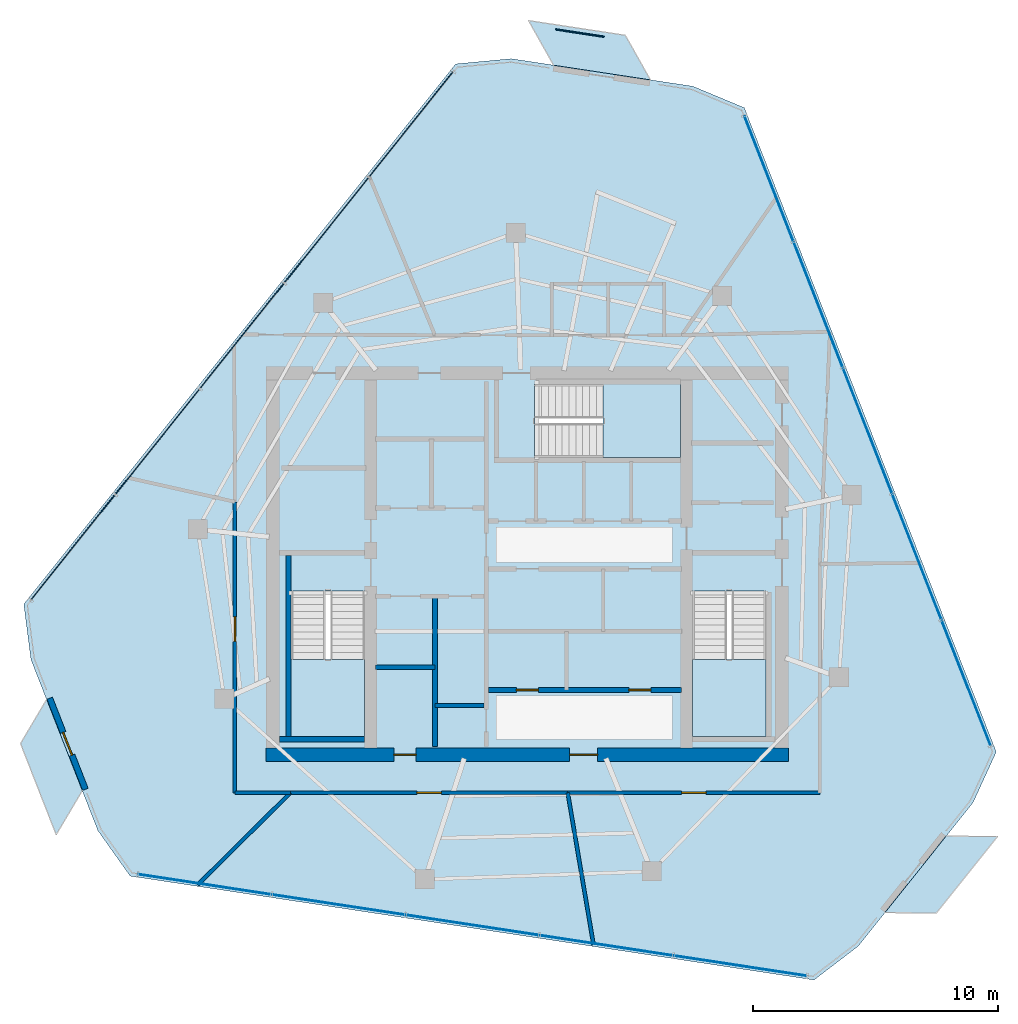
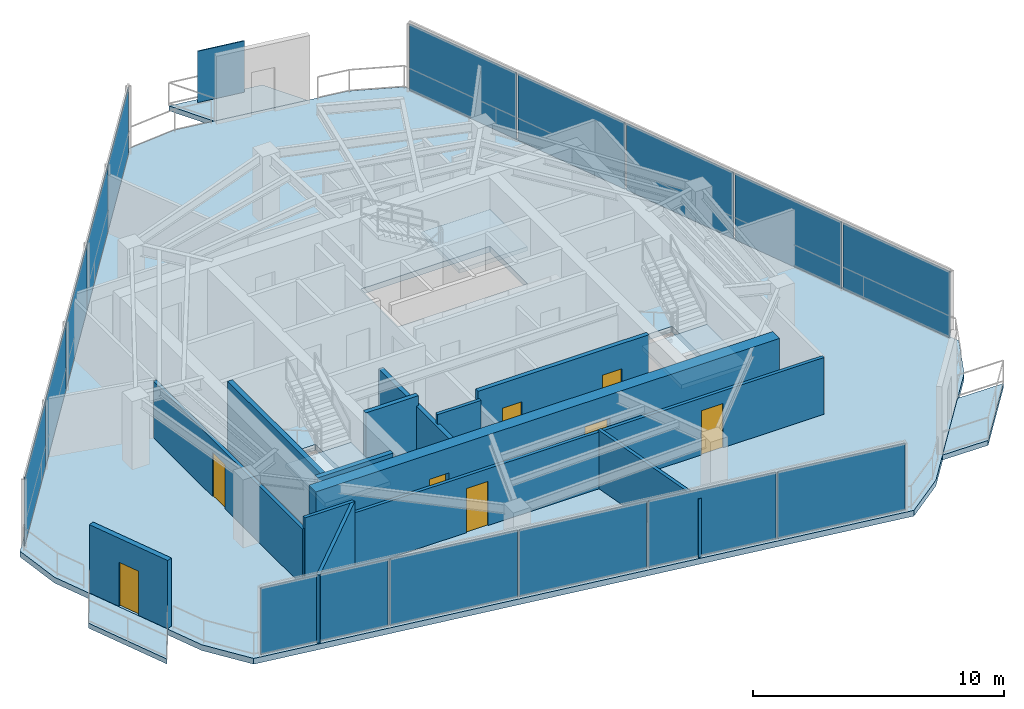
# One storey, part 14 of 19: 16 plates, 14 walls, 8 doors, 7 slabs, 8 openings, 6 elements without a shape of their own.
"""IFC4 building model written with IfcOpenShell, lengths in metres."""

import ifcopenshell
import ifcopenshell.guid

model = None  # the IFC model being written
_history = None  # IfcOwnerHistory: only IFC2X3 demands one
_inside = {}  # id of a spatial element -> (the spatial element, [elements in it])
_under = {}  # id of a project, library or spatial element -> (it, [spatial elements below it])
_declared = {}  # id of a project -> (the project, [libraries it declares])
_typed = {}  # id of a type object -> (the type object, [elements of that type])
_made_of = {}  # id of a material, layer set ... -> (it, [elements and type objects made of it])


def new_model(schema):
    """Start an empty IFC model of exactly this schema.

    Asked for "IFC4X3", IfcOpenShell would pick the latest addendum, in which some entities
    have other attributes; the version numbers below select the first issue.
    IFC2X3 requires an IfcOwnerHistory on every rooted entity: one is made here for all.
    """
    global model, _history
    if schema == "IFC4X3":
        model = ifcopenshell.file(schema_version=(4, 3, 0, 0))
    else:
        model = ifcopenshell.file(schema=schema)
    _inside.clear()
    _under.clear()
    _declared.clear()
    _typed.clear()
    _made_of.clear()
    _history = None
    if model.schema == "IFC2X3":
        org = make("IfcOrganization", Name="unknown")
        user = make(
            "IfcPersonAndOrganization",
            ThePerson=make("IfcPerson", FamilyName="unknown"),
            TheOrganization=org,
        )
        app = make(
            "IfcApplication",
            ApplicationDeveloper=org,
            Version="unknown",
            ApplicationFullName="unknown",
            ApplicationIdentifier="unknown",
        )
        _history = make(
            "IfcOwnerHistory",
            OwningUser=user,
            OwningApplication=app,
            ChangeAction="ADDED",
            CreationDate=0,
        )
    return model


def make(cls, **values):
    """One entity of the class cls with the attributes given. An attribute that is None is left unset."""
    return model.create_entity(
        cls, **{name: value for name, value in values.items() if value is not None}
    )


def rooted(cls, **values):
    """An entity with a GlobalId (a new one), such as an element, a storey or a relation."""
    return make(cls, GlobalId=ifcopenshell.guid.new(), OwnerHistory=_history, **values)


def si_unit(unit_type, name, prefix=None):
    """IfcSIUnit, for example si_unit("LENGTHUNIT", "METRE", prefix="MILLI")."""
    return make("IfcSIUnit", UnitType=unit_type, Prefix=prefix, Name=name)


def assignment(units):
    """IfcUnitAssignment: the units of a project."""
    return None if units is None else make("IfcUnitAssignment", Units=units)


def point(xyz):
    """IfcCartesianPoint."""
    return None if xyz is None else make("IfcCartesianPoint", Coordinates=xyz)


def direction(xyz):
    """IfcDirection."""
    return None if xyz is None else make("IfcDirection", DirectionRatios=xyz)


def frame(location, z_axis=None, x_axis=None):
    """IfcAxis2Placement3D, a coordinate frame: its origin and axes. An axis left out is left unset."""
    return make(
        "IfcAxis2Placement3D",
        Location=point(location),
        Axis=direction(z_axis),
        RefDirection=direction(x_axis),
    )


def frame_2d(location, x_axis=None):
    """IfcAxis2Placement2D, a coordinate frame in the plane: its origin and x axis."""
    return make(
        "IfcAxis2Placement2D", Location=point(location), RefDirection=direction(x_axis)
    )


def origin():
    """The frame at (0, 0, 0) with its axes left unset."""
    return frame((0.0, 0.0, 0.0))


def origin_2d():
    """The frame at (0, 0) in the plane with its x axis left unset."""
    return frame_2d((0.0, 0.0))


def place(relative_to, where):
    """IfcLocalPlacement: puts the frame where relative to a parent placement (None: the world)."""
    return make(
        "IfcLocalPlacement", PlacementRelTo=relative_to, RelativePlacement=where
    )


def context(
    kind, dimensions, precision=None, world=None, true_north=None, identifier=None
):
    """IfcGeometricRepresentationContext, for example the 3D "Model" context."""
    return make(
        "IfcGeometricRepresentationContext",
        ContextIdentifier=identifier,
        ContextType=kind,
        CoordinateSpaceDimension=dimensions,
        Precision=precision,
        WorldCoordinateSystem=world,
        TrueNorth=true_north,
    )


def subcontext(parent, identifier, kind, view, scale=None):
    """IfcGeometricRepresentationSubContext, for example "Body" below "Model"."""
    return make(
        "IfcGeometricRepresentationSubContext",
        ContextIdentifier=identifier,
        ContextType=kind,
        ParentContext=parent,
        TargetScale=scale,
        TargetView=view,
    )


def project(units=None, contexts=None):
    """IfcProject with its units and contexts."""
    return rooted(
        "IfcProject",
        Name="project",
        RepresentationContexts=contexts,
        UnitsInContext=assignment(units),
    )


def spatial(cls, under=None, at=None, **own):
    """A site, building, storey or space (cls), placed at a placement, below another one or the project."""
    s = rooted(cls, ObjectPlacement=at, **own)
    if under is not None:
        _under.setdefault(under.id(), (under, []))[1].append(s)
    return s


def polyline(points):
    """IfcPolyline through the points."""
    return make("IfcPolyline", Points=[point(p) for p in points])


def profile(cls, at=None, kind="AREA", **sizes):
    """A parametric profile (cls). Its sizes go by their IFC names, for example OverallWidth=200.0."""
    return make(cls, ProfileType=kind, Position=at, **sizes)


def rectangle(**sizes):
    """IfcRectangleProfileDef."""
    return profile("IfcRectangleProfileDef", **sizes)


def outline(outer, holes=None, kind="AREA"):
    """IfcArbitraryClosedProfileDef: a profile drawn as a closed curve; with holes, ...WithVoids."""
    if holes is None:
        return make("IfcArbitraryClosedProfileDef", ProfileType=kind, OuterCurve=outer)
    return make(
        "IfcArbitraryProfileDefWithVoids",
        ProfileType=kind,
        OuterCurve=outer,
        InnerCurves=holes,
    )


def extrude(swept, where, along, depth):
    """IfcExtrudedAreaSolid: the profile swept, set in the frame where, extruded along a direction by depth."""
    return make(
        "IfcExtrudedAreaSolid",
        SweptArea=swept,
        Position=where,
        ExtrudedDirection=direction(along),
        Depth=depth,
    )


def shape(context_of_items, identifier, shape_type, items):
    """IfcShapeRepresentation: the items that make up one representation, for example the "Body"."""
    return make(
        "IfcShapeRepresentation",
        ContextOfItems=context_of_items,
        RepresentationIdentifier=identifier,
        RepresentationType=shape_type,
        Items=items,
    )


def material(Name=None, Category=None):
    """IfcMaterial."""
    return make("IfcMaterial", Name=Name, Category=Category)


def layer(
    of_material, thickness, ventilated=None, Name=None, Category=None, Priority=None
):
    """IfcMaterialLayer: one layer of a wall or slab, of a material (None: an air gap)."""
    return make(
        "IfcMaterialLayer",
        Material=of_material,
        LayerThickness=thickness,
        IsVentilated=ventilated,
        Name=Name,
        Category=Category,
        Priority=Priority,
    )


def layer_set(layers, Name=None):
    """IfcMaterialLayerSet."""
    return make("IfcMaterialLayerSet", MaterialLayers=layers, LayerSetName=Name)


def made_of(thing, what):
    """Note that an element or type object is made of a material, layer set ...; save() writes the relation."""
    if what is not None:
        _made_of.setdefault(what.id(), (what, []))[1].append(thing)
    return thing


def type_object(cls, material=None, **own):
    """A type object (cls), such as IfcWallType, which elements share."""
    return made_of(rooted(cls, **own), material)


def element(
    cls,
    number,
    at=None,
    inside=None,
    cuts=None,
    type_object=None,
    material=None,
    context=None,
    identifier="Body",
    shape_type=None,
    held_by="IfcProductDefinitionShape",
    body=None,
    shapes=None,
    **own,
):
    """One element of the class cls, such as IfcWall. Its Tag is "e" and its number.

    at: its placement. inside: the storey or other place that contains it. cuts: it is an
    opening in that element (IfcRelVoidsElement). A single representation is given by context,
    identifier, shape_type and body (its items); several are given by shapes. held_by: the class
    of the entity that holds the representations. save() writes the other relations.
    """
    e = rooted(cls, Tag="e%d" % number, ObjectPlacement=at, **own)
    if body is not None:
        shapes = [shape(context, identifier, shape_type, body)]
    if shapes is not None:
        e.Representation = make(held_by, Representations=shapes)
    if inside is not None:
        _inside.setdefault(inside.id(), (inside, []))[1].append(e)
    if cuts is not None:
        rooted(
            "IfcRelVoidsElement", RelatingBuildingElement=cuts, RelatedOpeningElement=e
        )
    if type_object is not None:
        _typed.setdefault(type_object.id(), (type_object, []))[1].append(e)
    return made_of(e, material)


def fill(opening, filler):
    """IfcRelFillsElement: the door or window that sits in an opening."""
    return rooted(
        "IfcRelFillsElement",
        RelatingOpeningElement=opening,
        RelatedBuildingElement=filler,
    )


def aggregate(whole, parts):
    """IfcRelAggregates: a whole, such as a stair, and the parts it consists of."""
    return rooted("IfcRelAggregates", RelatingObject=whole, RelatedObjects=parts)


def save(model, path):
    """Write the relations noted so far, then the file.

    IfcRelAggregates (storeys below a building ...), IfcRelContainedInSpatialStructure (elements
    in a storey), IfcRelDefinesByType, IfcRelAssociatesMaterial and IfcRelDeclares: one each for
    every whole, place, type object, material and project.
    """
    for whole, parts in _under.values():
        aggregate(whole, parts)
    for where, things in _inside.values():
        rooted(
            "IfcRelContainedInSpatialStructure",
            RelatedElements=things,
            RelatingStructure=where,
        )
    for kind, things in _typed.values():
        rooted("IfcRelDefinesByType", RelatedObjects=things, RelatingType=kind)
    for what, things in _made_of.values():
        rooted("IfcRelAssociatesMaterial", RelatedObjects=things, RelatingMaterial=what)
    for by, libraries in _declared.values():
        rooted("IfcRelDeclares", RelatingContext=by, RelatedDefinitions=libraries)
    model.write(path)


model = new_model("IFC4")

# Units and contexts
model_context = context("Model", 3, precision=1e-05, world=origin(), true_north=direction((0.0, 1.0)))
body_context = subcontext(model_context, "Body", "Model", "MODEL_VIEW")
ifc_project = project(units=[si_unit("LENGTHUNIT", "METRE"), si_unit("AREAUNIT", "SQUARE_METRE"), si_unit("VOLUMEUNIT", "CUBIC_METRE"), si_unit("PLANEANGLEUNIT", "RADIAN"), si_unit("MASSUNIT", "GRAM", prefix="KILO")], contexts=[model_context])

# Site, building, storey
site_placement = place(None, origin())
site = spatial("IfcSite", under=ifc_project, at=site_placement, CompositionType="ELEMENT")
building_placement = place(site_placement, origin())
building = spatial("IfcBuilding", under=site, at=building_placement, Name="Qarnah Convention Tower", CompositionType="ELEMENT")
storey_placement = place(building_placement, frame((0.0, 0.0, 260.699951171875)))
storey = spatial("IfcBuildingStorey", under=building, at=storey_placement, Name="L70", CompositionType="ELEMENT", Elevation=260.699951171875)

# Curtain wall, plates
ifc_material_1 = material(Name="Tempered Low-E dark glass", Category="glass")
ifc_layer_1 = layer(ifc_material_1, 0.176025390625)
ifc_layer_set_1 = layer_set([ifc_layer_1], Name="Tempered Low-E dark glass")
curtain_wall_type = type_object("IfcCurtainWallType", Name="CWS-05", PredefinedType="NOTDEFINED", material=ifc_layer_set_1)
curtain_wall_1_placement = place(storey_placement, origin())
curtain_wall_1 = element("IfcCurtainWall", 1, at=curtain_wall_1_placement, inside=storey, type_object=curtain_wall_type, Name="L70 unitised curtain wall CW-L70-F1", PredefinedType="NOTDEFINED")
ifc_layer_2 = layer(ifc_material_1, 0.035888671875)
ifc_layer_set_2 = layer_set([ifc_layer_2], Name="Tempered Low-E dark glass")
plate_type_1 = type_object("IfcPlateType", Name="PNL-T5", PredefinedType="CURTAIN_PANEL", material=ifc_layer_set_2)
plate_1_placement = place(storey_placement, frame((45.897216796875, 9.980712890625, 0.0400390625), z_axis=(0.0, 0.0, 1.0), x_axis=(-0.988650022064, 0.150236925796, 0.0)))
plate_1 = element("IfcPlate", 2, at=plate_1_placement, type_object=plate_type_1, Name="CW-L70-F1 curtain panel 1.1", PredefinedType="CURTAIN_PANEL", context=body_context, shape_type="SweptSolid", body=[
    extrude(rectangle(XDim=5.45263671875, YDim=0.035888671875, at=origin_2d()), origin(), (0.0, 0.0, 1.0), 3.239990234375),
])
plate_2_placement = place(storey_placement, frame((40.42724609375, 10.811767578125, 0.0400390625), z_axis=(0.0, 0.0, 1.0), x_axis=(-0.988650022064, 0.150236925796, 0.0)))
plate_2 = element("IfcPlate", 3, at=plate_2_placement, type_object=plate_type_1, Name="CW-L70-F1 curtain panel 2.1", PredefinedType="CURTAIN_PANEL", context=body_context, shape_type="SweptSolid", body=[
    extrude(rectangle(XDim=5.45263671875, YDim=0.035888671875, at=origin_2d()), origin(), (0.0, 0.0, 1.0), 3.239990234375),
])
plate_3_placement = place(storey_placement, frame((34.95751953125, 11.64306640625, 0.0400390625), z_axis=(0.0, 0.0, 1.0), x_axis=(-0.988650022064, 0.150236925796, 0.0)))
plate_3 = element("IfcPlate", 4, at=plate_3_placement, type_object=plate_type_1, Name="CW-L70-F1 curtain panel 3.1", PredefinedType="CURTAIN_PANEL", context=body_context, shape_type="SweptSolid", body=[
    extrude(rectangle(XDim=5.45263671875, YDim=0.035888671875, at=origin_2d()), origin(), (0.0, 0.0, 1.0), 3.239990234375),
])
plate_4_placement = place(storey_placement, frame((29.48779296875, 12.47412109375, 0.0400390625), z_axis=(0.0, 0.0, 1.0), x_axis=(-0.988650022064, 0.150236925796, 0.0)))
plate_4 = element("IfcPlate", 5, at=plate_4_placement, type_object=plate_type_1, Name="CW-L70-F1 curtain panel 4.1", PredefinedType="CURTAIN_PANEL", context=body_context, shape_type="SweptSolid", body=[
    extrude(rectangle(XDim=5.45263671875, YDim=0.035888671875, at=origin_2d()), origin(), (0.0, 0.0, 1.0), 3.239990234375),
])
plate_5_placement = place(storey_placement, frame((24.017822265625, 13.305419921875, 0.0400390625), z_axis=(0.0, 0.0, 1.0), x_axis=(-0.988650022064, 0.150236925796, 0.0)))
plate_5 = element("IfcPlate", 6, at=plate_5_placement, type_object=plate_type_1, Name="CW-L70-F1 curtain panel 5.1", PredefinedType="CURTAIN_PANEL", context=body_context, shape_type="SweptSolid", body=[
    extrude(rectangle(XDim=5.45263671875, YDim=0.035888671875, at=origin_2d()), origin(), (0.0, 0.0, 1.0), 3.239990234375),
])
aggregate(curtain_wall_1, [plate_1, plate_2, plate_3, plate_4, plate_5])

curtain_wall_2_placement = place(storey_placement, origin())
curtain_wall_2 = element("IfcCurtainWall", 7, at=curtain_wall_2_placement, inside=storey, type_object=curtain_wall_type, Name="L70 unitised curtain wall CW-L70-F2", PredefinedType="NOTDEFINED")
plate_6_placement = place(storey_placement, frame((47.071533203125, 42.141845703125, 0.0400390625), z_axis=(0.0, 0.0, 1.0), x_axis=(0.364218048519, -0.931313702859, 0.0)))
plate_6 = element("IfcPlate", 8, at=plate_6_placement, type_object=plate_type_1, Name="CW-L70-F2 curtain panel 1.1", PredefinedType="CURTAIN_PANEL", context=body_context, shape_type="SweptSolid", body=[
    extrude(rectangle(XDim=5.452392578125, YDim=0.035888671875, at=origin_2d()), origin(), (0.0, 0.0, 1.0), 3.239990234375),
])
plate_7_placement = place(storey_placement, frame((49.08642578125, 36.989501953125, 0.0400390625), z_axis=(0.0, 0.0, 1.0), x_axis=(0.364218048519, -0.931313702859, 0.0)))
plate_7 = element("IfcPlate", 9, at=plate_7_placement, type_object=plate_type_1, Name="CW-L70-F2 curtain panel 2.1", PredefinedType="CURTAIN_PANEL", context=body_context, shape_type="SweptSolid", body=[
    extrude(rectangle(XDim=5.452392578125, YDim=0.035888671875, at=origin_2d()), origin(), (0.0, 0.0, 1.0), 3.239990234375),
])
plate_8_placement = place(storey_placement, frame((51.1015625, 31.8369140625, 0.0400390625), z_axis=(0.0, 0.0, 1.0), x_axis=(0.364218048519, -0.931313702859, 0.0)))
plate_8 = element("IfcPlate", 10, at=plate_8_placement, type_object=plate_type_1, Name="CW-L70-F2 curtain panel 3.1", PredefinedType="CURTAIN_PANEL", context=body_context, shape_type="SweptSolid", body=[
    extrude(rectangle(XDim=5.452392578125, YDim=0.035888671875, at=origin_2d()), origin(), (0.0, 0.0, 1.0), 3.239990234375),
])
plate_9_placement = place(storey_placement, frame((53.116455078125, 26.6845703125, 0.0400390625), z_axis=(0.0, 0.0, 1.0), x_axis=(0.364218048519, -0.931313702859, 0.0)))
plate_9 = element("IfcPlate", 11, at=plate_9_placement, type_object=plate_type_1, Name="CW-L70-F2 curtain panel 4.1", PredefinedType="CURTAIN_PANEL", context=body_context, shape_type="SweptSolid", body=[
    extrude(rectangle(XDim=5.452392578125, YDim=0.035888671875, at=origin_2d()), origin(), (0.0, 0.0, 1.0), 3.239990234375),
])
plate_10_placement = place(storey_placement, frame((55.131591796875, 21.5322265625, 0.0400390625), z_axis=(0.0, 0.0, 1.0), x_axis=(0.364218048519, -0.931313702859, 0.0)))
plate_10 = element("IfcPlate", 12, at=plate_10_placement, type_object=plate_type_1, Name="CW-L70-F2 curtain panel 5.1", PredefinedType="CURTAIN_PANEL", context=body_context, shape_type="SweptSolid", body=[
    extrude(rectangle(XDim=5.452392578125, YDim=0.035888671875, at=origin_2d()), origin(), (0.0, 0.0, 1.0), 3.239990234375),
])
aggregate(curtain_wall_2, [plate_6, plate_7, plate_8, plate_9, plate_10])

curtain_wall_3_placement = place(storey_placement, origin())
curtain_wall_3 = element("IfcCurtainWall", 13, at=curtain_wall_3_placement, inside=storey, type_object=curtain_wall_type, Name="L70 unitised curtain wall CW-L70-F3", PredefinedType="NOTDEFINED")
plate_11_placement = place(storey_placement, frame((18.63134765625, 27.07763671875, 0.0400390625), z_axis=(0.0, 0.0, 1.0), x_axis=(0.624417264657, 0.781090954754, 0.0)))
plate_11 = element("IfcPlate", 14, at=plate_11_placement, type_object=plate_type_1, Name="CW-L70-F3 curtain panel 1.1", PredefinedType="CURTAIN_PANEL", context=body_context, shape_type="SweptSolid", body=[
    extrude(rectangle(XDim=5.45263671875, YDim=0.035888671875, at=origin_2d()), origin(), (0.0, 0.0, 1.0), 3.239990234375),
])
plate_12_placement = place(storey_placement, frame((22.0859375, 31.399169921875, 0.0400390625), z_axis=(0.0, 0.0, 1.0), x_axis=(0.624417264657, 0.781090954754, 0.0)))
plate_12 = element("IfcPlate", 15, at=plate_12_placement, type_object=plate_type_1, Name="CW-L70-F3 curtain panel 2.1", PredefinedType="CURTAIN_PANEL", context=body_context, shape_type="SweptSolid", body=[
    extrude(rectangle(XDim=5.45263671875, YDim=0.035888671875, at=origin_2d()), origin(), (0.0, 0.0, 1.0), 3.239990234375),
])
plate_13_placement = place(storey_placement, frame((25.54052734375, 35.720458984375, 0.0400390625), z_axis=(0.0, 0.0, 1.0), x_axis=(0.624417264657, 0.781090954754, 0.0)))
plate_13 = element("IfcPlate", 16, at=plate_13_placement, type_object=plate_type_1, Name="CW-L70-F3 curtain panel 3.1", PredefinedType="CURTAIN_PANEL", context=body_context, shape_type="SweptSolid", body=[
    extrude(rectangle(XDim=5.45263671875, YDim=0.035888671875, at=origin_2d()), origin(), (0.0, 0.0, 1.0), 3.239990234375),
])
plate_14_placement = place(storey_placement, frame((28.9951171875, 40.0419921875, 0.0400390625), z_axis=(0.0, 0.0, 1.0), x_axis=(0.624417264657, 0.781090954754, 0.0)))
plate_14 = element("IfcPlate", 17, at=plate_14_placement, type_object=plate_type_1, Name="CW-L70-F3 curtain panel 4.1", PredefinedType="CURTAIN_PANEL", context=body_context, shape_type="SweptSolid", body=[
    extrude(rectangle(XDim=5.45263671875, YDim=0.035888671875, at=origin_2d()), origin(), (0.0, 0.0, 1.0), 3.239990234375),
])
plate_15_placement = place(storey_placement, frame((32.44970703125, 44.36328125, 0.0400390625), z_axis=(0.0, 0.0, 1.0), x_axis=(0.624417264657, 0.781090954754, 0.0)))
plate_15 = element("IfcPlate", 18, at=plate_15_placement, type_object=plate_type_1, Name="CW-L70-F3 curtain panel 5.1", PredefinedType="CURTAIN_PANEL", context=body_context, shape_type="SweptSolid", body=[
    extrude(rectangle(XDim=5.45263671875, YDim=0.035888671875, at=origin_2d()), origin(), (0.0, 0.0, 1.0), 3.239990234375),
])
aggregate(curtain_wall_3, [plate_11, plate_12, plate_13, plate_14, plate_15])

# Plate
ifc_material_2 = material(Name="Black anodised aluminium", Category="aluminium")
ifc_layer_3 = layer(ifc_material_2, 0.044921875)
ifc_layer_set_3 = layer_set([ifc_layer_3], Name="Black anodised aluminium")
plate_type_2 = type_object("IfcPlateType", Name="SCR-BAL-18", PredefinedType="USERDEFINED", material=ifc_layer_set_3)
plate_16_placement = place(storey_placement, frame((39.342041015625, 48.093017578125, 0.0), z_axis=(0.0, 0.0, 1.0), x_axis=(0.988644664426, -0.15027217807, 0.0)))
element("IfcPlate", 19, at=plate_16_placement, inside=storey, type_object=plate_type_2, Name="L70 perforated desert solar screen BAL-L70-C1", ObjectType="SCREEN", PredefinedType="USERDEFINED", context=body_context, shape_type="SweptSolid", body=[
    extrude(rectangle(XDim=2.0, YDim=0.044921875, at=origin_2d()), origin(), (0.0, 0.0, 1.0), 2.5),
])

# Slabs
ifc_material_3 = material(Name="Concrete C45/55", Category="concrete")
ifc_layer_4 = layer(ifc_material_3, 0.239990234375)
ifc_layer_set_4 = layer_set([ifc_layer_4], Name="Concrete C45/55")
slab_type_1 = type_object("IfcSlabType", Name="SLB-BAL-240", PredefinedType="USERDEFINED", material=ifc_layer_set_4)
slab_1_placement = place(storey_placement, frame((0.0, 0.0, -0.239990234375)))
element("IfcSlab", 20, at=slab_1_placement, inside=storey, type_object=slab_type_1, Name="L70 cantilevered balcony slab BAL-L70-C1", ObjectType="BALCONY", PredefinedType="USERDEFINED", context=body_context, shape_type="SweptSolid", body=[
    extrude(outline(polyline([(37.2470703125, 48.60302734375), (41.200927734375, 48.001953125), (42.22705078125, 46.178955078125), (38.27197265625, 46.779052734375), (37.2470703125, 48.60302734375)])), origin(), (0.0, 0.0, 1.0), 0.239990234375),
])
slab_2_placement = place(storey_placement, frame((0.0, 0.0, -0.239990234375)))
element("IfcSlab", 21, at=slab_2_placement, inside=storey, type_object=slab_type_1, Name="L70 cantilevered balcony slab BAL-L70-C2", ObjectType="BALCONY", PredefinedType="USERDEFINED", context=body_context, shape_type="SweptSolid", body=[
    extrude(outline(polyline([(17.947998046875, 15.339111328125), (16.490966796875, 19.06396484375), (17.55810546875, 20.864013671875), (19.014892578125, 17.14111328125), (17.947998046875, 15.339111328125)])), origin(), (0.0, 0.0, 1.0), 0.239990234375),
])
slab_3_placement = place(storey_placement, frame((0.0, 0.0, -0.239990234375)))
element("IfcSlab", 22, at=slab_3_placement, inside=storey, type_object=slab_type_1, Name="L70 cantilevered balcony slab BAL-L70-C3", ObjectType="BALCONY", PredefinedType="USERDEFINED", context=body_context, shape_type="SweptSolid", body=[
    extrude(outline(polyline([(56.405029296875, 15.258056640625), (53.906982421875, 12.134033203125), (51.81494140625, 12.156982421875), (54.31201171875, 15.281005859375), (56.405029296875, 15.258056640625)])), origin(), (0.0, 0.0, 1.0), 0.239990234375),
])

# Stair, slab
ifc_material_4 = material(Name="Concrete C50/60", Category="concrete")
stair_type = type_object("IfcStairType", Name="STR-OFF", PredefinedType="HALF_TURN_STAIR", material=ifc_material_4)
stair_1_placement = place(storey_placement, origin())
stair_1 = element("IfcStair", 23, at=stair_1_placement, inside=storey, type_object=stair_type, Name="L70 Core exit stair ST-1", PredefinedType="HALF_TURN_STAIR")
ifc_layer_5 = layer(ifc_material_4, 0.199951171875)
ifc_layer_set_5 = layer_set([ifc_layer_5], Name="Concrete C50/60")
slab_type_2 = type_object("IfcSlabType", Name="SLB-LANDING-200", PredefinedType="LANDING", material=ifc_layer_set_5)
slab_4_placement = place(storey_placement, frame((0.0, 0.0, 1.60009765625)))
slab_4 = element("IfcSlab", 24, at=slab_4_placement, type_object=slab_type_2, Name="ST-1 landing 1", PredefinedType="LANDING", context=body_context, shape_type="SweptSolid", body=[
    extrude(outline(polyline([(27.550048828125, 22.5), (27.550048828125, 19.35009765625), (30.550048828125, 19.35009765625), (30.550048828125, 22.5), (27.550048828125, 22.5)])), origin(), (0.0, 0.0, 1.0), 0.199951171875),
])
aggregate(stair_1, [slab_4])

stair_2_placement = place(storey_placement, origin())
stair_2 = element("IfcStair", 25, at=stair_2_placement, inside=storey, type_object=stair_type, Name="L70 Core exit stair ST-2", PredefinedType="HALF_TURN_STAIR")
slab_5_placement = place(storey_placement, frame((0.0, 0.0, 1.60009765625)))
slab_5 = element("IfcSlab", 26, at=slab_5_placement, type_object=slab_type_2, Name="ST-2 landing 1", PredefinedType="LANDING", context=body_context, shape_type="SweptSolid", body=[
    extrude(outline(polyline([(43.949951171875, 22.5), (43.949951171875, 19.35009765625), (46.949951171875, 19.35009765625), (46.949951171875, 22.5), (43.949951171875, 22.5)])), origin(), (0.0, 0.0, 1.0), 0.199951171875),
])
aggregate(stair_2, [slab_5])

stair_3_placement = place(storey_placement, origin())
stair_3 = element("IfcStair", 27, at=stair_3_placement, inside=storey, type_object=stair_type, Name="L70 Core exit stair ST-3", PredefinedType="HALF_TURN_STAIR")
slab_6_placement = place(storey_placement, frame((0.0, 0.0, 1.60009765625)))
slab_6 = element("IfcSlab", 28, at=slab_6_placement, type_object=slab_type_2, Name="ST-3 landing 1", PredefinedType="LANDING", context=body_context, shape_type="SweptSolid", body=[
    extrude(outline(polyline([(40.300048828125, 30.75), (43.449951171875, 30.75), (43.449951171875, 33.75), (40.300048828125, 33.75), (40.300048828125, 30.75)])), origin(), (0.0, 0.0, 1.0), 0.199951171875),
])
aggregate(stair_3, [slab_6])

# Slab
ifc_layer_6 = layer(ifc_material_3, 0.280029296875)
ifc_layer_set_6 = layer_set([ifc_layer_6], Name="Concrete C45/55")
slab_type_3 = type_object("IfcSlabType", Name="SLB-TWR-280", PredefinedType="FLOOR", material=ifc_layer_set_6)
slab_7_placement = place(storey_placement, frame((0.0, 0.0, -0.280029296875)))
element("IfcSlab", 29, at=slab_7_placement, inside=storey, type_object=slab_type_3, Name="L70 structural floor slab", PredefinedType="FLOOR", context=body_context, shape_type="SweptSolid", body=[
    extrude(outline(polyline([(34.27099609375, 46.8330078125), (16.623046875, 24.758056640625), (16.9150390625, 22.4970703125), (19.64990234375, 15.506103515625), (20.968017578125, 13.64697265625), (48.910888671875, 9.40087890625), (50.721923828125, 10.783935546875), (55.409912109375, 16.64794921875), (56.360107421875, 18.719970703125), (46.06591796875, 45.041015625), (43.962890625, 45.9189453125), (36.541015625, 47.0458984375), (34.27099609375, 46.8330078125)]), holes=[polyline([(27.550048828125, 25.300048828125), (27.550048828125, 19.35009765625), (30.550048828125, 19.35009765625), (30.550048828125, 25.300048828125), (27.550048828125, 25.300048828125)]), polyline([(43.949951171875, 25.300048828125), (43.949951171875, 19.35009765625), (46.949951171875, 19.35009765625), (46.949951171875, 25.300048828125), (43.949951171875, 25.300048828125)]), polyline([(37.5, 30.75), (43.449951171875, 30.75), (43.449951171875, 33.75), (37.5, 33.75), (37.5, 30.75)])]), origin(), (0.0, 0.0, 1.0), 0.280029296875),
])

# Wall, openings, doors
ifc_material_5 = material(Name="Concrete C60/75", Category="concrete")
ifc_layer_7 = layer(ifc_material_5, 0.550048828125)
ifc_layer_set_7 = layer_set([ifc_layer_7], Name="Concrete C60/75")
wall_type_1 = type_object("IfcWallType", Name="WL-CORE-550", PredefinedType="SHEAR", material=ifc_layer_set_7)
wall_1_placement = place(storey_placement, frame((26.52490234375, 18.60009765625, 0.0), z_axis=(0.0, 0.0, 1.0), x_axis=(1.0, 0.0, 0.0)))
wall_1 = element("IfcWall", 30, at=wall_1_placement, inside=storey, type_object=wall_type_1, Name="L70 core south shear wall", PredefinedType="SHEAR", context=body_context, shape_type="SweptSolid", body=[
    extrude(rectangle(XDim=21.35009765625, YDim=0.550048828125, at=frame_2d((10.675048828125, 0.0))), origin(), (0.0, 0.0, 1.0), 3.320068359375),
])
opening_1_placement = place(wall_1_placement, frame((12.39990234375, 0.0, 0.0)))
opening_1 = element("IfcOpeningElement", 31, at=opening_1_placement, cuts=wall_1, Name="Opening D-7007", PredefinedType="OPENING", context=body_context, shape_type="SweptSolid", body=[
    extrude(rectangle(XDim=1.14990234375, YDim=2.14990234375, at=frame_2d((0.574951171875, 1.074951171875))), frame((0.0, 0.284912109375, 0.0), z_axis=(0.0, -1.0, 0.0), x_axis=(1.0, 0.0, 0.0)), (0.0, 0.0, 1.0), 0.570068359375),
])
opening_2_placement = place(wall_1_placement, frame((5.22509765625, 0.0, 0.0)))
opening_2 = element("IfcOpeningElement", 32, at=opening_2_placement, cuts=wall_1, Name="Opening D-7013", PredefinedType="OPENING", context=body_context, shape_type="SweptSolid", body=[
    extrude(rectangle(XDim=0.89990234375, YDim=2.10009765625, at=frame_2d((0.449951171875, 1.050048828125))), frame((0.0, 0.284912109375, 0.0), z_axis=(0.0, -1.0, 0.0), x_axis=(1.0, 0.0, 0.0)), (0.0, 0.0, 1.0), 0.570068359375),
])
ifc_material_6 = material(Name="Structural steel S355JR", Category="steel")
door_type_1 = type_object("IfcDoorType", Name="DT-LOBBY-1150", OperationType="NOTDEFINED", PredefinedType="DOOR", material=ifc_material_6)
door_1_placement = place(opening_1_placement, origin())
door_1 = element("IfcDoor", 33, at=door_1_placement, inside=storey, type_object=door_type_1, Name="Door D-7007", OperationType="SINGLE_SWING_RIGHT", OverallHeight=2.14990234375, OverallWidth=1.14990234375, PredefinedType="DOOR", context=body_context, shape_type="SweptSolid", body=[
    extrude(rectangle(XDim=1.14990234375, YDim=2.14990234375, at=frame_2d((0.574951171875, 1.074951171875))), frame((0.0, 0.02490234375, 0.0), z_axis=(0.0, -1.0, 0.0), x_axis=(1.0, 0.0, 0.0)), (0.0, 0.0, 1.0), 0.050048828125),
])
fill(opening_1, door_1)
door_type_2 = type_object("IfcDoorType", Name="DT-RISER-900", OperationType="NOTDEFINED", PredefinedType="DOOR", material=ifc_material_6)
door_2_placement = place(opening_2_placement, origin())
door_2 = element("IfcDoor", 34, at=door_2_placement, inside=storey, type_object=door_type_2, Name="Door D-7013", OperationType="SINGLE_SWING_RIGHT", OverallHeight=2.10009765625, OverallWidth=0.89990234375, PredefinedType="DOOR", context=body_context, shape_type="SweptSolid", body=[
    extrude(rectangle(XDim=0.89990234375, YDim=2.10009765625, at=frame_2d((0.449951171875, 1.050048828125))), frame((0.0, 0.02490234375, 0.0), z_axis=(0.0, -1.0, 0.0), x_axis=(1.0, 0.0, 0.0)), (0.0, 0.0, 1.0), 0.050048828125),
])
fill(opening_2, door_2)

# Walls
ifc_layer_8 = layer(ifc_material_3, 0.199951171875)
ifc_layer_set_8 = layer_set([ifc_layer_8], Name="Concrete C45/55")
wall_type_2 = type_object("IfcWallType", Name="WL-CORE-PART-200", PredefinedType="SOLIDWALL", material=ifc_layer_set_8)
wall_2_placement = place(storey_placement, frame((33.419921875, 18.949951171875, 0.0), z_axis=(0.0, 0.0, 1.0), x_axis=(0.0, 1.0, 0.0)))
element("IfcWall", 35, at=wall_2_placement, inside=storey, type_object=wall_type_2, Name="L70 interior wall IW-L70-SVLE", PredefinedType="SOLIDWALL", context=body_context, shape_type="SweptSolid", body=[
    extrude(rectangle(XDim=6.130126953125, YDim=0.199951171875, at=frame_2d((3.06494140625, 0.0))), origin(), (0.0, 0.0, 1.0), 2.841064453125),
])
wall_3_placement = place(storey_placement, frame((31.0, 22.179931640625, 0.0), z_axis=(0.0, 0.0, 1.0), x_axis=(1.0, 0.0, 0.0)))
element("IfcWall", 36, at=wall_3_placement, inside=storey, type_object=wall_type_2, Name="L70 interior wall IW-L70-SVLS", PredefinedType="SOLIDWALL", context=body_context, shape_type="SweptSolid", body=[
    extrude(rectangle(XDim=2.419921875, YDim=0.199951171875, at=frame_2d((1.2099609375, 0.0))), origin(), (0.0, 0.0, 1.0), 3.320068359375),
])

# Wall, openings, doors
wall_4_placement = place(storey_placement, frame((35.6201171875, 21.25, 0.0), z_axis=(0.0, 0.0, 1.0), x_axis=(1.0, 0.0, 0.0)))
wall_4 = element("IfcWall", 37, at=wall_4_placement, inside=storey, type_object=wall_type_2, Name="L70 interior wall IW-L70-PLS", PredefinedType="SOLIDWALL", context=body_context, shape_type="SweptSolid", body=[
    extrude(rectangle(XDim=7.8798828125, YDim=0.199951171875, at=frame_2d((3.93994140625, 0.0))), origin(), (0.0, 0.0, 1.0), 3.320068359375),
])
opening_3_placement = place(wall_4_placement, frame((1.1298828125, 0.0, 0.0)))
opening_3 = element("IfcOpeningElement", 38, at=opening_3_placement, cuts=wall_4, Name="Opening D-7016", PredefinedType="OPENING", context=body_context, shape_type="SweptSolid", body=[
    extrude(rectangle(XDim=0.89990234375, YDim=2.10009765625, at=frame_2d((0.449951171875, 1.050048828125))), frame((0.0, 0.10986328125, 0.0), z_axis=(0.0, -1.0, 0.0), x_axis=(1.0, 0.0, 0.0)), (0.0, 0.0, 1.0), 0.219970703125),
])
opening_4_placement = place(wall_4_placement, frame((5.72998046875, 0.0, 0.0)))
opening_4 = element("IfcOpeningElement", 39, at=opening_4_placement, cuts=wall_4, Name="Opening D-7017", PredefinedType="OPENING", context=body_context, shape_type="SweptSolid", body=[
    extrude(rectangle(XDim=0.89990234375, YDim=2.10009765625, at=frame_2d((0.449951171875, 1.050048828125))), frame((0.0, 0.10986328125, 0.0), z_axis=(0.0, -1.0, 0.0), x_axis=(1.0, 0.0, 0.0)), (0.0, 0.0, 1.0), 0.219970703125),
])
door_3_placement = place(opening_3_placement, origin())
door_3 = element("IfcDoor", 40, at=door_3_placement, inside=storey, type_object=door_type_2, Name="Door D-7016", OperationType="SINGLE_SWING_LEFT", OverallHeight=2.10009765625, OverallWidth=0.89990234375, PredefinedType="DOOR", context=body_context, shape_type="SweptSolid", body=[
    extrude(rectangle(XDim=0.89990234375, YDim=2.10009765625, at=frame_2d((0.449951171875, 1.050048828125))), frame((0.0, 0.02490234375, 0.0), z_axis=(0.0, -1.0, 0.0), x_axis=(1.0, 0.0, 0.0)), (0.0, 0.0, 1.0), 0.050048828125),
])
fill(opening_3, door_3)
door_4_placement = place(opening_4_placement, origin())
door_4 = element("IfcDoor", 41, at=door_4_placement, inside=storey, type_object=door_type_2, Name="Door D-7017", OperationType="SINGLE_SWING_RIGHT", OverallHeight=2.10009765625, OverallWidth=0.89990234375, PredefinedType="DOOR", context=body_context, shape_type="SweptSolid", body=[
    extrude(rectangle(XDim=0.89990234375, YDim=2.10009765625, at=frame_2d((0.449951171875, 1.050048828125))), frame((0.0, 0.02490234375, 0.0), z_axis=(0.0, -1.0, 0.0), x_axis=(1.0, 0.0, 0.0)), (0.0, 0.0, 1.0), 0.050048828125),
])
fill(opening_4, door_4)

# Walls
ifc_layer_9 = layer(ifc_material_5, 0.219970703125)
ifc_layer_set_9 = layer_set([ifc_layer_9], Name="Concrete C60/75")
wall_type_3 = type_object("IfcWallType", Name="WL-CORE-STAIR-220", PredefinedType="SHEAR", material=ifc_layer_set_9)
wall_5_placement = place(storey_placement, frame((27.43994140625, 19.35009765625, 0.0), z_axis=(0.0, 0.0, 1.0), x_axis=(0.0, 1.0, 0.0)))
element("IfcWall", 42, at=wall_5_placement, inside=storey, type_object=wall_type_3, Name="L70 stair shaft shear wall SW-L70-ST1W", PredefinedType="SHEAR", context=body_context, shape_type="SweptSolid", body=[
    extrude(rectangle(XDim=7.39990234375, YDim=0.219970703125, at=frame_2d((3.699951171875, 0.0))), origin(), (0.0, 0.0, 1.0), 3.320068359375),
])
wall_6_placement = place(storey_placement, frame((27.074951171875, 19.239990234375, 0.0), z_axis=(0.0, 0.0, 1.0), x_axis=(1.0, 0.0, 0.0)))
element("IfcWall", 43, at=wall_6_placement, inside=storey, type_object=wall_type_3, Name="L70 stair shaft shear wall SW-L70-ST1S", PredefinedType="SHEAR", context=body_context, shape_type="SweptSolid", body=[
    extrude(rectangle(XDim=3.47509765625, YDim=0.219970703125, at=frame_2d((1.737548828125, 0.0))), origin(), (0.0, 0.0, 1.0), 3.320068359375),
])

# Wall, opening, door
ifc_material_7 = material(Name="Precast concrete C45/55", Category="concrete")
ifc_layer_10 = layer(ifc_material_7, 0.239990234375)
ifc_layer_set_10 = layer_set([ifc_layer_10], Name="Precast concrete C45/55")
wall_type_4 = type_object("IfcWallType", Name="WL-EXT-BAL-240", PredefinedType="SOLIDWALL", material=ifc_layer_set_10)
wall_7_placement = place(storey_placement, frame((19.14111328125, 17.18994140625, 0.0), z_axis=(0.0, 0.0, 1.0), x_axis=(-0.364265865004, 0.931295001379, 0.0)))
wall_7 = element("IfcWall", 44, at=wall_7_placement, inside=storey, type_object=wall_type_4, Name="L70 loggia threshold wall BAL-L70-C2", PredefinedType="SOLIDWALL", context=body_context, shape_type="SweptSolid", body=[
    extrude(rectangle(XDim=4.0, YDim=0.239990234375, at=frame_2d((2.0, 0.0))), origin(), (0.0, 0.0, 1.0), 3.320068359375),
])
opening_5_placement = place(wall_7_placement, frame((1.5, 0.0, 0.0)))
opening_5 = element("IfcOpeningElement", 45, at=opening_5_placement, cuts=wall_7, Name="Opening BD-7002", PredefinedType="OPENING", context=body_context, shape_type="SweptSolid", body=[
    extrude(rectangle(XDim=1.0, YDim=2.14990234375, at=frame_2d((0.5, 1.074951171875))), frame((0.0, 0.1298828125, 0.0), z_axis=(0.0, -1.0, 0.0), x_axis=(1.0, 0.0, 0.0)), (0.0, 0.0, 1.0), 0.260009765625),
])
door_type_3 = type_object("IfcDoorType", Name="DT-BAL-1000", OperationType="NOTDEFINED", PredefinedType="DOOR", material=ifc_material_2)
door_5_placement = place(opening_5_placement, origin())
door_5 = element("IfcDoor", 46, at=door_5_placement, inside=storey, type_object=door_type_3, Name="L70 balcony terrace door BAL-L70-C2", OperationType="SINGLE_SWING_RIGHT", OverallHeight=2.14990234375, OverallWidth=1.0, PredefinedType="DOOR", context=body_context, shape_type="SweptSolid", body=[
    extrude(rectangle(XDim=1.0, YDim=2.14990234375, at=frame_2d((0.5, 1.074951171875))), frame((0.0, 0.02490234375, 0.0), z_axis=(0.0, -1.0, 0.0), x_axis=(1.0, 0.0, 0.0)), (0.0, 0.0, 1.0), 0.050048828125),
])
fill(opening_5, door_5)

# Walls
ifc_material_8 = material(Name="Gypsum partition board")
ifc_layer_11 = layer(ifc_material_8, 0.14990234375)
ifc_layer_set_11 = layer_set([ifc_layer_11], Name="Gypsum partition board")
wall_type_5 = type_object("IfcWallType", Name="WL-SUITE-150", PredefinedType="PARTITIONING", material=ifc_layer_set_11)
wall_8_placement = place(storey_placement, frame((33.419921875, 20.6201171875, 0.0), z_axis=(0.0, 0.0, 1.0), x_axis=(1.0, 0.0, 0.0)))
element("IfcWall", 47, at=wall_8_placement, inside=storey, type_object=wall_type_5, Name="L70 interior wall IW-L70-CSV1", PredefinedType="PARTITIONING", context=body_context, shape_type="SweptSolid", body=[
    extrude(rectangle(XDim=2.0, YDim=0.14990234375, at=frame_2d((1.0, 0.0))), origin(), (0.0, 0.0, 1.0), 3.320068359375),
])
wall_9_placement = place(storey_placement, frame((23.72998046875, 13.2919921875, 0.0), z_axis=(0.0, 0.0, 1.0), x_axis=(0.709915037489, 0.704287327408, 0.0)))
element("IfcWall", 48, at=wall_9_placement, inside=storey, type_object=wall_type_5, Name="L70 interior wall IW-L70-R-18", PredefinedType="PARTITIONING", context=body_context, shape_type="SweptSolid", body=[
    extrude(rectangle(XDim=5.3359375, YDim=0.14990234375, at=frame_2d((2.66796875, 0.0))), origin(), (0.0, 0.0, 1.0), 3.320068359375),
])
wall_10_placement = place(storey_placement, frame((27.51806640625, 17.050048828125, 0.0), z_axis=(0.0, 0.0, 1.0), x_axis=(-1.0, 0.0, 0.0)))
element("IfcWall", 49, at=wall_10_placement, inside=storey, type_object=wall_type_5, Name="L70 interior wall IW-L70-R-19", PredefinedType="PARTITIONING", context=body_context, shape_type="SweptSolid", body=[
    extrude(rectangle(XDim=2.26806640625, YDim=0.14990234375, at=frame_2d((1.134033203125, 0.0))), origin(), (0.0, 0.0, 1.0), 3.320068359375),
])

# Wall, opening, door
wall_11_placement = place(storey_placement, frame((25.25, 17.050048828125, 0.0), z_axis=(0.0, 0.0, 1.0), x_axis=(0.0, 1.0, 0.0)))
wall_11 = element("IfcWall", 50, at=wall_11_placement, inside=storey, type_object=wall_type_5, Name="L70 interior wall IW-L70-R-20", PredefinedType="PARTITIONING", context=body_context, shape_type="SweptSolid", body=[
    extrude(rectangle(XDim=11.889892578125, YDim=0.14990234375, at=frame_2d((5.94482421875, 0.0))), origin(), (0.0, 0.0, 1.0), 2.76513671875),
])
opening_6_placement = place(wall_11_placement, frame((6.18896484375, 0.0, 0.0)))
opening_6 = element("IfcOpeningElement", 51, at=opening_6_placement, cuts=wall_11, Name="Opening D-7025", PredefinedType="OPENING", context=body_context, shape_type="SweptSolid", body=[
    extrude(rectangle(XDim=1.0, YDim=2.14990234375, at=frame_2d((0.5, 1.074951171875))), frame((0.0, 0.0849609375, 0.0), z_axis=(0.0, -1.0, 0.0), x_axis=(1.0, 0.0, 0.0)), (0.0, 0.0, 1.0), 0.169921875),
])
ifc_material_9 = material(Name="Oak timber veneer", Category="wood")
door_type_4 = type_object("IfcDoorType", Name="DT-OFFICE-1000", OperationType="NOTDEFINED", PredefinedType="DOOR", material=ifc_material_9)
door_6_placement = place(opening_6_placement, origin())
door_6 = element("IfcDoor", 52, at=door_6_placement, inside=storey, type_object=door_type_4, Name="Door D-7025", OperationType="SINGLE_SWING_RIGHT", OverallHeight=2.14990234375, OverallWidth=1.0, PredefinedType="DOOR", context=body_context, shape_type="SweptSolid", body=[
    extrude(rectangle(XDim=1.0, YDim=2.14990234375, at=frame_2d((0.5, 1.074951171875))), frame((0.0, 0.02490234375, 0.0), z_axis=(0.0, -1.0, 0.0), x_axis=(1.0, 0.0, 0.0)), (0.0, 0.0, 1.0), 0.050048828125),
])
fill(opening_6, door_6)

# Wall
wall_12_placement = place(storey_placement, frame((39.903076171875, 10.845947265625, 0.0), z_axis=(0.0, 0.0, 1.0), x_axis=(-0.167480866688, 0.985875326445, 0.0)))
element("IfcWall", 53, at=wall_12_placement, inside=storey, type_object=wall_type_5, Name="L70 interior wall IW-L70-R-21", PredefinedType="PARTITIONING", context=body_context, shape_type="SweptSolid", body=[
    extrude(rectangle(XDim=6.29296875, YDim=0.14990234375, at=frame_2d((3.146484375, 0.0))), origin(), (0.0, 0.0, 1.0), 2.844970703125),
])

# Wall, opening, door
wall_13_placement = place(storey_placement, frame((38.84912109375, 17.050048828125, 0.0), z_axis=(0.0, 0.0, 1.0), x_axis=(-1.0, 0.0, 0.0)))
wall_13 = element("IfcWall", 54, at=wall_13_placement, inside=storey, type_object=wall_type_5, Name="L70 interior wall IW-L70-R-22", PredefinedType="PARTITIONING", context=body_context, shape_type="SweptSolid", body=[
    extrude(rectangle(XDim=11.3310546875, YDim=0.14990234375, at=frame_2d((5.66552734375, 0.0))), origin(), (0.0, 0.0, 1.0), 2.76513671875),
])
opening_7_placement = place(wall_13_placement, frame((5.1650390625, 0.0, 0.0)))
opening_7 = element("IfcOpeningElement", 55, at=opening_7_placement, cuts=wall_13, Name="Opening D-7026", PredefinedType="OPENING", context=body_context, shape_type="SweptSolid", body=[
    extrude(rectangle(XDim=1.0, YDim=2.14990234375, at=frame_2d((0.5, 1.074951171875))), frame((0.0, 0.0849609375, 0.0), z_axis=(0.0, -1.0, 0.0), x_axis=(1.0, 0.0, 0.0)), (0.0, 0.0, 1.0), 0.169921875),
])
door_7_placement = place(opening_7_placement, origin())
door_7 = element("IfcDoor", 56, at=door_7_placement, inside=storey, type_object=door_type_4, Name="Door D-7026", OperationType="SINGLE_SWING_LEFT", OverallHeight=2.14990234375, OverallWidth=1.0, PredefinedType="DOOR", context=body_context, shape_type="SweptSolid", body=[
    extrude(rectangle(XDim=1.0, YDim=2.14990234375, at=frame_2d((0.5, 1.074951171875))), frame((0.0, 0.02490234375, 0.0), z_axis=(0.0, -1.0, 0.0), x_axis=(1.0, 0.0, 0.0)), (0.0, 0.0, 1.0), 0.050048828125),
])
fill(opening_7, door_7)

wall_14_placement = place(storey_placement, frame((49.14990234375, 17.050048828125, 0.0), z_axis=(0.0, 0.0, 1.0), x_axis=(-1.0, 0.0, 0.0)))
wall_14 = element("IfcWall", 57, at=wall_14_placement, inside=storey, type_object=wall_type_5, Name="L70 interior wall IW-L70-R-24", PredefinedType="PARTITIONING", context=body_context, shape_type="SweptSolid", body=[
    extrude(rectangle(XDim=10.30078125, YDim=0.14990234375, at=frame_2d((5.150390625, 0.0))), origin(), (0.0, 0.0, 1.0), 2.76513671875),
])
opening_8_placement = place(wall_14_placement, frame((4.65087890625, 0.0, 0.0)))
opening_8 = element("IfcOpeningElement", 58, at=opening_8_placement, cuts=wall_14, Name="Opening D-7027", PredefinedType="OPENING", context=body_context, shape_type="SweptSolid", body=[
    extrude(rectangle(XDim=1.0, YDim=2.14990234375, at=frame_2d((0.5, 1.074951171875))), frame((0.0, 0.0849609375, 0.0), z_axis=(0.0, -1.0, 0.0), x_axis=(1.0, 0.0, 0.0)), (0.0, 0.0, 1.0), 0.169921875),
])
door_8_placement = place(opening_8_placement, origin())
door_8 = element("IfcDoor", 59, at=door_8_placement, inside=storey, type_object=door_type_4, Name="Door D-7027", OperationType="SINGLE_SWING_RIGHT", OverallHeight=2.14990234375, OverallWidth=1.0, PredefinedType="DOOR", context=body_context, shape_type="SweptSolid", body=[
    extrude(rectangle(XDim=1.0, YDim=2.14990234375, at=frame_2d((0.5, 1.074951171875))), frame((0.0, 0.02490234375, 0.0), z_axis=(0.0, -1.0, 0.0), x_axis=(1.0, 0.0, 0.0)), (0.0, 0.0, 1.0), 0.050048828125),
])
fill(opening_8, door_8)

save(model, "model.ifc")
